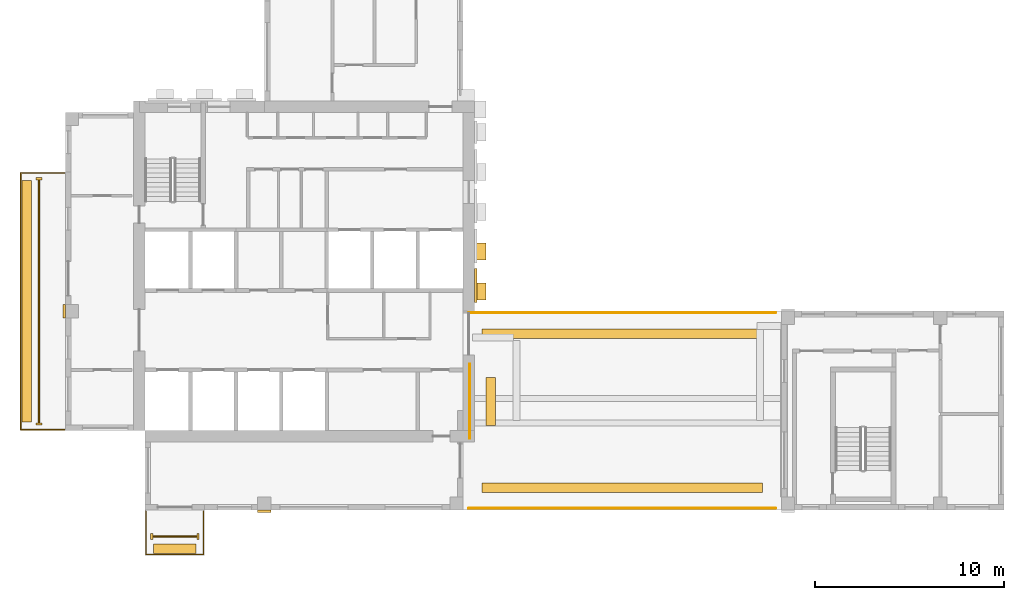
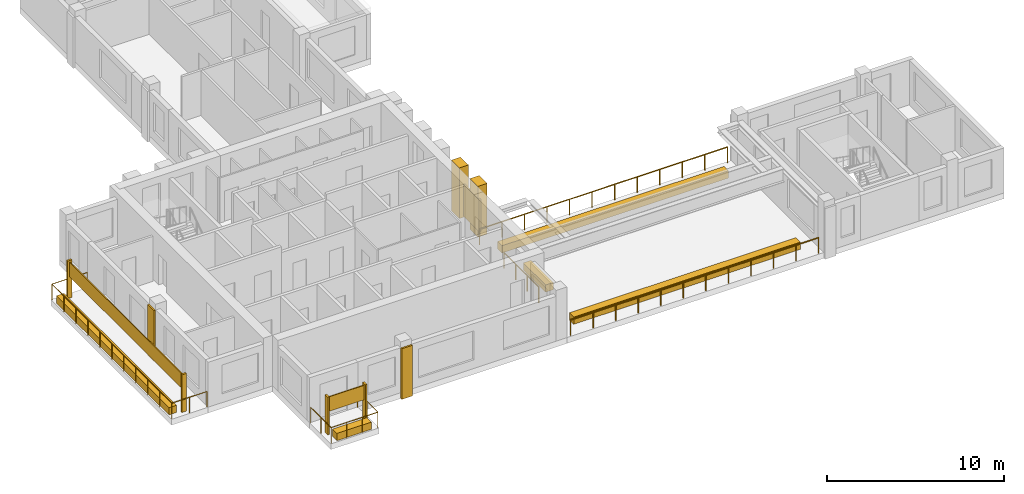
# One storey, part 7 of 10: 16 coverings, 5 railings.
"""IFC4 building model written with IfcOpenShell, lengths in metres."""

from ifc_helpers import new_model, si_unit, direction, frame, origin, origin_2d, place, context, subcontext, project, spatial, rectangle, circle, extrude, source, transform, mapped, material, type_object, element, save


model = new_model("IFC4")

# Units and contexts
model_context = context("Model", 3, precision=1e-05, world=origin(), true_north=direction((0.0, 1.0)))
body_context = subcontext(model_context, "Body", "Model", "MODEL_VIEW")
ifc_project = project(units=[si_unit("LENGTHUNIT", "METRE"), si_unit("AREAUNIT", "SQUARE_METRE"), si_unit("VOLUMEUNIT", "CUBIC_METRE"), si_unit("PLANEANGLEUNIT", "RADIAN"), si_unit("MASSUNIT", "GRAM", prefix="KILO")], contexts=[model_context])

# Site, building, storey
site_placement = place(None, origin())
site = spatial("IfcSite", under=ifc_project, at=site_placement, CompositionType="ELEMENT")
building_placement = place(site_placement, origin())
building = spatial("IfcBuilding", under=site, at=building_placement, Name="Aurelian Terraces", CompositionType="ELEMENT")
storey_placement = place(building_placement, frame((0.0, 0.0, 291.5)))
storey = spatial("IfcBuildingStorey", under=building, at=storey_placement, Name="L66", CompositionType="ELEMENT", Elevation=291.5)

# Railings
ifc_material_1 = material(Name="Anodised aluminium", Category="aluminium")
railing_type = type_object("IfcRailingType", Name="GUARD-1100", PredefinedType="GUARDRAIL", material=ifc_material_1)
railing_1_placement = place(storey_placement, frame((21.3, 10.41, 0.0)))
element("IfcRailing", 1, at=railing_1_placement, inside=storey, type_object=railing_type, Name="Terrace guard L66 BLADE-S-T1.2", PredefinedType="GUARDRAIL", context=body_context, shape_type="SweptSolid", body=[
    extrude(circle(Radius=0.024, at=origin_2d()), frame((0.0, 0.0, 1.076), z_axis=(1.0, 0.0, 0.0), x_axis=(0.0, 1.0, 0.0)), (0.0, 0.0, 1.0), 16.2),
    extrude(circle(Radius=0.021, at=origin_2d()), origin(), (0.0, 0.0, 1.0), 1.052),
    extrude(circle(Radius=0.021, at=origin_2d()), frame((1.4727, 0.0, 0.0)), (0.0, 0.0, 1.0), 1.052),
    extrude(circle(Radius=0.021, at=origin_2d()), frame((2.9455, 0.0, 0.0)), (0.0, 0.0, 1.0), 1.052),
    extrude(circle(Radius=0.021, at=origin_2d()), frame((4.4182, 0.0, 0.0)), (0.0, 0.0, 1.0), 1.052),
    extrude(circle(Radius=0.021, at=origin_2d()), frame((5.8909, 0.0, 0.0)), (0.0, 0.0, 1.0), 1.052),
    extrude(circle(Radius=0.021, at=origin_2d()), frame((7.3636, 0.0, 0.0)), (0.0, 0.0, 1.0), 1.052),
    extrude(circle(Radius=0.021, at=origin_2d()), frame((8.8364, 0.0, 0.0)), (0.0, 0.0, 1.0), 1.052),
    extrude(circle(Radius=0.021, at=origin_2d()), frame((10.3091, 0.0, 0.0)), (0.0, 0.0, 1.0), 1.052),
    extrude(circle(Radius=0.021, at=origin_2d()), frame((11.7818, 0.0, 0.0)), (0.0, 0.0, 1.0), 1.052),
    extrude(circle(Radius=0.021, at=origin_2d()), frame((13.2545, 0.0, 0.0)), (0.0, 0.0, 1.0), 1.052),
    extrude(circle(Radius=0.021, at=origin_2d()), frame((14.7273, 0.0, 0.0)), (0.0, 0.0, 1.0), 1.052),
    extrude(circle(Radius=0.021, at=origin_2d()), frame((16.2, 0.0, 0.0)), (0.0, 0.0, 1.0), 1.052),
])
railing_2_placement = place(storey_placement, frame((21.35, 3.7758, 0.0)))
element("IfcRailing", 2, at=railing_2_placement, inside=storey, type_object=railing_type, Name="Terrace guard L66 BLADE-S-T1.3", PredefinedType="GUARDRAIL", context=body_context, shape_type="SweptSolid", body=[
    extrude(circle(Radius=0.024, at=origin_2d()), frame((0.0, 0.0, 1.076), z_axis=(0.0, 1.0, 0.0), x_axis=(-1.0, 0.0, 0.0)), (0.0, 0.0, 1.0), 3.9242),
    extrude(circle(Radius=0.021, at=origin_2d()), origin(), (0.0, 0.0, 1.0), 1.052),
    extrude(circle(Radius=0.021, at=origin_2d()), frame((0.0, 1.3081, 0.0)), (0.0, 0.0, 1.0), 1.052),
    extrude(circle(Radius=0.021, at=origin_2d()), frame((0.0, 2.6161, 0.0)), (0.0, 0.0, 1.0), 1.052),
    extrude(circle(Radius=0.021, at=origin_2d()), frame((0.0, 3.9242, 0.0)), (0.0, 0.0, 1.0), 1.052),
])

# Coverings
ifc_material_2 = material(Name="Terracotta planter with planting soil", Category="masonry")
covering_type_1 = type_object("IfcCoveringType", Name="PLANTER-TROUGH", PredefinedType="USERDEFINED", material=ifc_material_2)
covering_1_placement = place(storey_placement, frame((22.45, 5.7379, 0.0), z_axis=(0.0, 0.0, 1.0), x_axis=(1.0, 0.0, 0.0)))
element("IfcCovering", 3, at=covering_1_placement, inside=storey, type_object=covering_type_1, Name="PLANTER L66 terrace BLADE-S-T1-2.1", ObjectType="PLANTER", PredefinedType="USERDEFINED", context=body_context, shape_type="SweptSolid", body=[
    extrude(rectangle(XDim=0.5, YDim=2.5242, at=origin_2d()), origin(), (0.0, 0.0, 1.0), 0.5),
])
ifc_material_3 = material(Name="Terracotta rainscreen cladding relief", Category="masonry")
covering_type_2 = type_object("IfcCoveringType", Name="FIN-TC", PredefinedType="CLADDING", material=ifc_material_3)
shared_shape_1 = source(origin(), body_context, "Body", "SweptSolid", [
    extrude(rectangle(XDim=0.3, YDim=0.12, at=origin_2d()), origin(), (0.0, 0.0, 1.0), 2.6),
])
for number, where, z_axis, x_axis, name in (
    (4, (-1.4, 17.5, 0.0), (0.0, 0.0, 1.0), (1.0, 0.0, 0.0), "FIN L66 L66-F10-20.1"),
    (5, (-1.4, 4.55, 0.0), (0.0, 0.0, 1.0), (1.0, 0.0, 0.0), "FIN L66 L66-F10-20.2"),
):
    element("IfcCovering", number, at=place(storey_placement, frame(where, z_axis=z_axis, x_axis=x_axis)), inside=storey, type_object=covering_type_2, Name=name, PredefinedType="CLADDING", context=body_context, shape_type="MappedRepresentation", body=[
        mapped(shared_shape_1, transform((0.0, 0.0, 0.0), scale=1.0)),
    ])
shared_shape_2 = source(origin(), body_context, "Body", "SweptSolid", [
    extrude(rectangle(XDim=0.12, YDim=0.3, at=origin_2d()), origin(), (0.0, 0.0, 1.0), 2.6),
])
for number, where, z_axis, x_axis, name in (
    (6, (4.55, -1.4, 0.0), (0.0, 0.0, 1.0), (1.0, 0.0, 0.0), "FIN L66 L66-F01-01.1"),
    (7, (7.0, -1.4, 0.0), (0.0, 0.0, 1.0), (1.0, 0.0, 0.0), "FIN L66 L66-F01-01.2"),
):
    element("IfcCovering", number, at=place(storey_placement, frame(where, z_axis=z_axis, x_axis=x_axis)), inside=storey, type_object=covering_type_2, Name=name, PredefinedType="CLADDING", context=body_context, shape_type="MappedRepresentation", body=[
        mapped(shared_shape_2, transform((0.0, 0.0, 0.0), scale=1.0)),
    ])

# Railing
shared_shape_3 = source(origin(), body_context, "Body", "SweptSolid", [
    extrude(circle(Radius=0.024, at=origin_2d()), frame((0.0, 0.0, 1.076), z_axis=(-1.0, 0.0, 0.0), x_axis=(0.0, -1.0, 0.0)), (0.0, 0.0, 1.0), 16.2),
    extrude(circle(Radius=0.021, at=origin_2d()), origin(), (0.0, 0.0, 1.0), 1.052),
    extrude(circle(Radius=0.021, at=origin_2d()), frame((-1.4727, 0.0, 0.0)), (0.0, 0.0, 1.0), 1.052),
    extrude(circle(Radius=0.021, at=origin_2d()), frame((-2.9455, 0.0, 0.0)), (0.0, 0.0, 1.0), 1.052),
    extrude(circle(Radius=0.021, at=origin_2d()), frame((-4.4182, 0.0, 0.0)), (0.0, 0.0, 1.0), 1.052),
    extrude(circle(Radius=0.021, at=origin_2d()), frame((-5.8909, 0.0, 0.0)), (0.0, 0.0, 1.0), 1.052),
    extrude(circle(Radius=0.021, at=origin_2d()), frame((-7.3636, 0.0, 0.0)), (0.0, 0.0, 1.0), 1.052),
    extrude(circle(Radius=0.021, at=origin_2d()), frame((-8.8364, 0.0, 0.0)), (0.0, 0.0, 1.0), 1.052),
    extrude(circle(Radius=0.021, at=origin_2d()), frame((-10.3091, 0.0, 0.0)), (0.0, 0.0, 1.0), 1.052),
    extrude(circle(Radius=0.021, at=origin_2d()), frame((-11.7818, 0.0, 0.0)), (0.0, 0.0, 1.0), 1.052),
    extrude(circle(Radius=0.021, at=origin_2d()), frame((-13.2545, 0.0, 0.0)), (0.0, 0.0, 1.0), 1.052),
    extrude(circle(Radius=0.021, at=origin_2d()), frame((-14.7273, 0.0, 0.0)), (0.0, 0.0, 1.0), 1.052),
    extrude(circle(Radius=0.021, at=origin_2d()), frame((-16.2, 0.0, 0.0)), (0.0, 0.0, 1.0), 1.052),
])
railing_3_placement = place(storey_placement, frame((37.5, 0.09, 0.0)))
element("IfcRailing", 8, at=railing_3_placement, inside=storey, type_object=railing_type, Name="Terrace guard L66 BLADE-S-T1.1", PredefinedType="GUARDRAIL", context=body_context, shape_type="MappedRepresentation", body=[
    mapped(shared_shape_3, transform((0.0, 0.0, 0.0), scale=1.0)),
])

# Coverings
shared_shape_4 = source(origin(), body_context, "Body", "SweptSolid", [
    extrude(rectangle(XDim=14.8, YDim=0.5, at=origin_2d()), origin(), (0.0, 0.0, 1.0), 0.5),
])
for number, where, z_axis, x_axis, name in (
    (9, (29.4, 1.19, 0.0), (0.0, 0.0, 1.0), (1.0, 0.0, 0.0), "PLANTER L66 terrace BLADE-S-T1-0.1"),
    (10, (29.4, 9.31, 0.0), (0.0, 0.0, 1.0), (1.0, 0.0, 0.0), "PLANTER L66 terrace BLADE-S-T1-1.1"),
):
    element("IfcCovering", number, at=place(storey_placement, frame(where, z_axis=z_axis, x_axis=x_axis)), inside=storey, type_object=covering_type_1, Name=name, ObjectType="PLANTER", PredefinedType="USERDEFINED", context=body_context, shape_type="MappedRepresentation", body=[
        mapped(shared_shape_4, transform((0.0, 0.0, 0.0), scale=1.0)),
    ])

# Railing
shared_shape_5 = source(origin(), body_context, "Body", "SweptSolid", [
    extrude(circle(Radius=0.024, at=origin_2d()), frame((0.0, 0.0, 1.076), z_axis=(-1.0, 0.0, 0.0), x_axis=(0.0, -1.0, 0.0)), (0.0, 0.0, 1.0), 2.3),
    extrude(circle(Radius=0.024, at=origin_2d()), frame((-2.3, 0.0, 1.076), z_axis=(0.0, -1.0, 0.0), x_axis=(1.0, 0.0, 0.0)), (0.0, 0.0, 1.0), 13.55),
    extrude(circle(Radius=0.024, at=origin_2d()), frame((-2.3, -13.55, 1.076), z_axis=(1.0, 0.0, 0.0), x_axis=(0.0, 1.0, 0.0)), (0.0, 0.0, 1.0), 2.3),
    extrude(circle(Radius=0.021, at=origin_2d()), origin(), (0.0, 0.0, 1.0), 1.052),
    extrude(circle(Radius=0.021, at=origin_2d()), frame((-1.15, 0.0, 0.0)), (0.0, 0.0, 1.0), 1.052),
    extrude(circle(Radius=0.021, at=origin_2d()), frame((-2.3, 0.0, 0.0)), (0.0, 0.0, 1.0), 1.052),
    extrude(circle(Radius=0.021, at=origin_2d()), frame((-2.3, -1.355, 0.0)), (0.0, 0.0, 1.0), 1.052),
    extrude(circle(Radius=0.021, at=origin_2d()), frame((-2.3, -2.71, 0.0)), (0.0, 0.0, 1.0), 1.052),
    extrude(circle(Radius=0.021, at=origin_2d()), frame((-2.3, -4.065, 0.0)), (0.0, 0.0, 1.0), 1.052),
    extrude(circle(Radius=0.021, at=origin_2d()), frame((-2.3, -5.42, 0.0)), (0.0, 0.0, 1.0), 1.052),
    extrude(circle(Radius=0.021, at=origin_2d()), frame((-2.3, -6.775, 0.0)), (0.0, 0.0, 1.0), 1.052),
    extrude(circle(Radius=0.021, at=origin_2d()), frame((-2.3, -8.13, 0.0)), (0.0, 0.0, 1.0), 1.052),
    extrude(circle(Radius=0.021, at=origin_2d()), frame((-2.3, -9.485, 0.0)), (0.0, 0.0, 1.0), 1.052),
    extrude(circle(Radius=0.021, at=origin_2d()), frame((-2.3, -10.84, 0.0)), (0.0, 0.0, 1.0), 1.052),
    extrude(circle(Radius=0.021, at=origin_2d()), frame((-2.3, -12.195, 0.0)), (0.0, 0.0, 1.0), 1.052),
    extrude(circle(Radius=0.021, at=origin_2d()), frame((-2.3, -13.55, 0.0)), (0.0, 0.0, 1.0), 1.052),
    extrude(circle(Radius=0.021, at=origin_2d()), frame((-1.15, -13.55, 0.0)), (0.0, 0.0, 1.0), 1.052),
    extrude(circle(Radius=0.021, at=origin_2d()), frame((0.0, -13.55, 0.0)), (0.0, 0.0, 1.0), 1.052),
])
railing_4_placement = place(storey_placement, frame((-0.05, 17.8, 0.0)))
element("IfcRailing", 11, at=railing_4_placement, inside=storey, type_object=railing_type, Name="Balcony guard L66 F10.20", PredefinedType="GUARDRAIL", context=body_context, shape_type="MappedRepresentation", body=[
    mapped(shared_shape_5, transform((0.0, 0.0, 0.0), scale=1.0)),
])

# Coverings
shared_shape_6 = source(origin(), body_context, "Body", "SweptSolid", [
    extrude(rectangle(XDim=0.5, YDim=12.75, at=origin_2d()), origin(), (0.0, 0.0, 1.0), 0.5),
])
covering_2_placement = place(storey_placement, frame((-2.05, 11.025, 0.0), z_axis=(0.0, 0.0, 1.0), x_axis=(1.0, 0.0, 0.0)))
element("IfcCovering", 12, at=covering_2_placement, inside=storey, type_object=covering_type_1, Name="PLANTER L66 L66-F10-20", ObjectType="PLANTER", PredefinedType="USERDEFINED", context=body_context, shape_type="MappedRepresentation", body=[
    mapped(shared_shape_6, transform((0.0, 0.0, 0.0), scale=1.0)),
])
ifc_material_4 = material(Name="Terracotta rainscreen cladding", Category="masonry")
covering_type_3 = type_object("IfcCoveringType", Name="SCREEN-TC", PredefinedType="CLADDING", material=ifc_material_4)
shared_shape_7 = source(origin(), body_context, "Body", "SweptSolid", [
    extrude(rectangle(XDim=0.06, YDim=12.83, at=origin_2d()), origin(), (0.0, 0.0, 1.0), 1.0),
])
covering_3_placement = place(storey_placement, frame((-1.4, 11.025, 1.5), z_axis=(0.0, 0.0, 1.0), x_axis=(1.0, 0.0, 0.0)))
element("IfcCovering", 13, at=covering_3_placement, inside=storey, type_object=covering_type_3, Name="SCREEN L66 L66-F10-20", PredefinedType="CLADDING", context=body_context, shape_type="MappedRepresentation", body=[
    mapped(shared_shape_7, transform((0.0, 0.0, 0.0), scale=1.0)),
])

# Railing
shared_shape_8 = source(origin(), body_context, "Body", "SweptSolid", [
    extrude(circle(Radius=0.024, at=origin_2d()), frame((0.0, 0.0, 1.076), z_axis=(0.0, -1.0, 0.0), x_axis=(1.0, 0.0, 0.0)), (0.0, 0.0, 1.0), 2.3),
    extrude(circle(Radius=0.024, at=origin_2d()), frame((0.0, -2.3, 1.076), z_axis=(1.0, 0.0, 0.0), x_axis=(0.0, 1.0, 0.0)), (0.0, 0.0, 1.0), 3.05),
    extrude(circle(Radius=0.024, at=origin_2d()), frame((3.05, -2.3, 1.076), z_axis=(0.0, 1.0, 0.0), x_axis=(-1.0, 0.0, 0.0)), (0.0, 0.0, 1.0), 2.3),
    extrude(circle(Radius=0.021, at=origin_2d()), origin(), (0.0, 0.0, 1.0), 1.052),
    extrude(circle(Radius=0.021, at=origin_2d()), frame((0.0, -1.15, 0.0)), (0.0, 0.0, 1.0), 1.052),
    extrude(circle(Radius=0.021, at=origin_2d()), frame((0.0, -2.3, 0.0)), (0.0, 0.0, 1.0), 1.052),
    extrude(circle(Radius=0.021, at=origin_2d()), frame((1.0167, -2.3, 0.0)), (0.0, 0.0, 1.0), 1.052),
    extrude(circle(Radius=0.021, at=origin_2d()), frame((2.0333, -2.3, 0.0)), (0.0, 0.0, 1.0), 1.052),
    extrude(circle(Radius=0.021, at=origin_2d()), frame((3.05, -2.3, 0.0)), (0.0, 0.0, 1.0), 1.052),
    extrude(circle(Radius=0.021, at=origin_2d()), frame((3.05, -1.15, 0.0)), (0.0, 0.0, 1.0), 1.052),
    extrude(circle(Radius=0.021, at=origin_2d()), frame((3.05, 0.0, 0.0)), (0.0, 0.0, 1.0), 1.052),
])
railing_5_placement = place(storey_placement, frame((4.25, -0.05, 0.0)))
element("IfcRailing", 14, at=railing_5_placement, inside=storey, type_object=railing_type, Name="Balcony guard L66 F01.1", PredefinedType="GUARDRAIL", context=body_context, shape_type="MappedRepresentation", body=[
    mapped(shared_shape_8, transform((0.0, 0.0, 0.0), scale=1.0)),
])

# Coverings
shared_shape_9 = source(origin(), body_context, "Body", "SweptSolid", [
    extrude(rectangle(XDim=2.25, YDim=0.5, at=origin_2d()), origin(), (0.0, 0.0, 1.0), 0.5),
])
covering_4_placement = place(storey_placement, frame((5.775, -2.05, 0.0), z_axis=(0.0, 0.0, 1.0), x_axis=(1.0, 0.0, 0.0)))
element("IfcCovering", 15, at=covering_4_placement, inside=storey, type_object=covering_type_1, Name="PLANTER L66 L66-F01-01", ObjectType="PLANTER", PredefinedType="USERDEFINED", context=body_context, shape_type="MappedRepresentation", body=[
    mapped(shared_shape_9, transform((0.0, 0.0, 0.0), scale=1.0)),
])
shared_shape_10 = source(origin(), body_context, "Body", "SweptSolid", [
    extrude(rectangle(XDim=2.33, YDim=0.06, at=origin_2d()), origin(), (0.0, 0.0, 1.0), 1.0),
])
covering_5_placement = place(storey_placement, frame((5.775, -1.4, 1.5), z_axis=(0.0, 0.0, 1.0), x_axis=(1.0, 0.0, 0.0)))
element("IfcCovering", 16, at=covering_5_placement, inside=storey, type_object=covering_type_3, Name="SCREEN L66 L66-F01-01", PredefinedType="CLADDING", context=body_context, shape_type="MappedRepresentation", body=[
    mapped(shared_shape_10, transform((0.0, 0.0, 0.0), scale=1.0)),
])
ifc_material_5 = material(Name="Terracotta rainscreen cladding louvre blades", Category="masonry")
covering_type_4 = type_object("IfcCoveringType", Name="LOUVRE-TC", PredefinedType="CLADDING", material=ifc_material_5)
shared_shape_11 = source(origin(), body_context, "Body", "SweptSolid", [
    extrude(rectangle(XDim=0.12, YDim=1.8, at=origin_2d()), origin(), (0.0, 0.0, 1.0), 2.2),
])
covering_6_placement = place(storey_placement, frame((21.66, 11.85, 0.45), z_axis=(0.0, 0.0, 1.0), x_axis=(1.0, 0.0, 0.0)))
element("IfcCovering", 17, at=covering_6_placement, inside=storey, type_object=covering_type_4, Name="LOUVRE L66 core face E.1", PredefinedType="CLADDING", context=body_context, shape_type="MappedRepresentation", body=[
    mapped(shared_shape_11, transform((0.0, 0.0, 0.0), scale=1.0)),
])
covering_type_5 = type_object("IfcCoveringType", Name="BAGUETTE-TC", PredefinedType="CLADDING", material=ifc_material_3)
shared_shape_12 = source(origin(), body_context, "Body", "SweptSolid", [
    extrude(rectangle(XDim=0.7, YDim=0.12, at=origin_2d()), origin(), (0.0, 0.0, 1.0), 3.5),
])
covering_7_placement = place(storey_placement, frame((10.5, -0.06, -0.4), z_axis=(0.0, 0.0, 1.0), x_axis=(1.0, 0.0, 0.0)))
element("IfcCovering", 18, at=covering_7_placement, inside=storey, type_object=covering_type_5, Name="BAGUETTE pier L66 1", PredefinedType="CLADDING", context=body_context, shape_type="MappedRepresentation", body=[
    mapped(shared_shape_12, transform((0.0, 0.0, 0.0), scale=1.0)),
])
shared_shape_13 = source(origin(), body_context, "Body", "SweptSolid", [
    extrude(rectangle(XDim=0.12, YDim=0.7, at=origin_2d()), origin(), (0.0, 0.0, 1.0), 3.5),
])
covering_8_placement = place(storey_placement, frame((-0.06, 10.5, -0.4), z_axis=(0.0, 0.0, 1.0), x_axis=(1.0, 0.0, 0.0)))
element("IfcCovering", 19, at=covering_8_placement, inside=storey, type_object=covering_type_5, Name="BAGUETTE pier L66 4", PredefinedType="CLADDING", context=body_context, shape_type="MappedRepresentation", body=[
    mapped(shared_shape_13, transform((0.0, 0.0, 0.0), scale=1.0)),
])
covering_type_6 = type_object("IfcCoveringType", Name="Core spine pier 900x600", PredefinedType="CLADDING", material=ifc_material_3)
shared_shape_14 = source(origin(), body_context, "Body", "SweptSolid", [
    extrude(rectangle(XDim=0.6, YDim=0.9, at=origin_2d()), origin(), (0.0, 0.0, 1.0), 3.5),
])
for number, where, z_axis, x_axis, name in (
    (20, (21.9, 11.55, 0.0), (0.0, 0.0, 1.0), (1.0, 0.0, 0.0), "Spine pier L66 E1"),
    (21, (21.9, 13.65, 0.0), (0.0, 0.0, 1.0), (1.0, 0.0, 0.0), "Spine pier L66 E2"),
):
    element("IfcCovering", number, at=place(storey_placement, frame(where, z_axis=z_axis, x_axis=x_axis)), inside=storey, type_object=covering_type_6, Name=name, PredefinedType="CLADDING", context=body_context, shape_type="MappedRepresentation", body=[
        mapped(shared_shape_14, transform((0.0, 0.0, 0.0), scale=1.0)),
    ])

save(model, "model.ifc")
